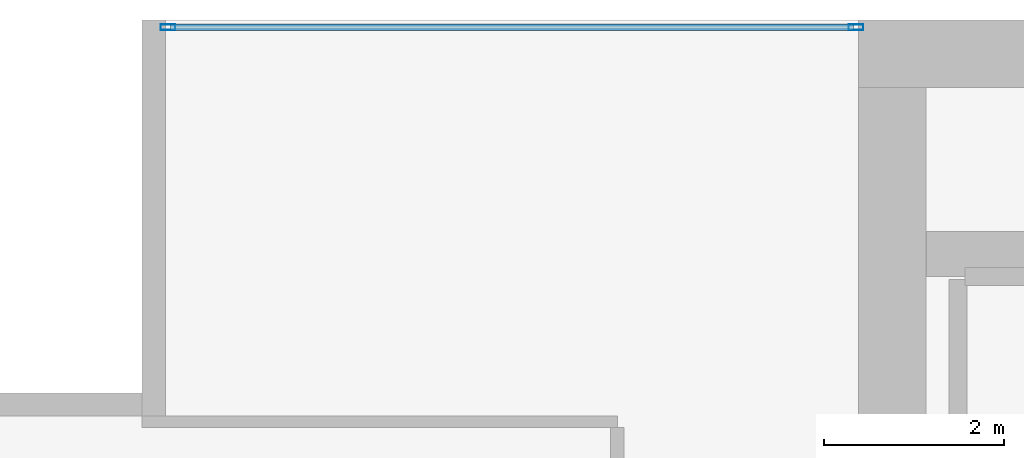
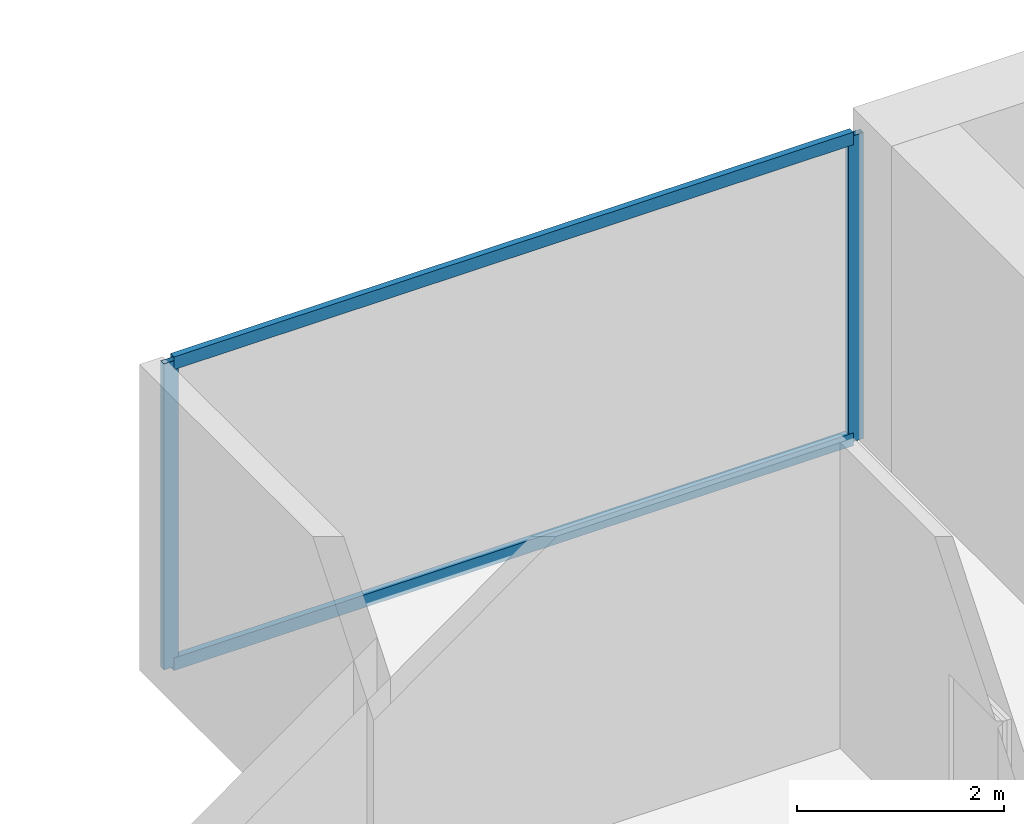
# One storey, part 22 of 34: 4 members, 1 element without a shape of its own.
"""IFC4 building model written with IfcOpenShell, lengths in metres."""

import ifcopenshell
import ifcopenshell.guid

model = None  # the IFC model being written
_history = None  # IfcOwnerHistory: only IFC2X3 demands one
_inside = {}  # id of a spatial element -> (the spatial element, [elements in it])
_under = {}  # id of a project, library or spatial element -> (it, [spatial elements below it])
_declared = {}  # id of a project -> (the project, [libraries it declares])
_typed = {}  # id of a type object -> (the type object, [elements of that type])
_made_of = {}  # id of a material, layer set ... -> (it, [elements and type objects made of it])


def new_model(schema):
    """Start an empty IFC model of exactly this schema.

    Asked for "IFC4X3", IfcOpenShell would pick the latest addendum, in which some entities
    have other attributes; the version numbers below select the first issue.
    IFC2X3 requires an IfcOwnerHistory on every rooted entity: one is made here for all.
    """
    global model, _history
    if schema == "IFC4X3":
        model = ifcopenshell.file(schema_version=(4, 3, 0, 0))
    else:
        model = ifcopenshell.file(schema=schema)
    _inside.clear()
    _under.clear()
    _declared.clear()
    _typed.clear()
    _made_of.clear()
    _history = None
    if model.schema == "IFC2X3":
        org = make("IfcOrganization", Name="unknown")
        user = make(
            "IfcPersonAndOrganization",
            ThePerson=make("IfcPerson", FamilyName="unknown"),
            TheOrganization=org,
        )
        app = make(
            "IfcApplication",
            ApplicationDeveloper=org,
            Version="unknown",
            ApplicationFullName="unknown",
            ApplicationIdentifier="unknown",
        )
        _history = make(
            "IfcOwnerHistory",
            OwningUser=user,
            OwningApplication=app,
            ChangeAction="ADDED",
            CreationDate=0,
        )
    return model


def make(cls, **values):
    """One entity of the class cls with the attributes given. An attribute that is None is left unset."""
    return model.create_entity(
        cls, **{name: value for name, value in values.items() if value is not None}
    )


def rooted(cls, **values):
    """An entity with a GlobalId (a new one), such as an element, a storey or a relation."""
    return make(cls, GlobalId=ifcopenshell.guid.new(), OwnerHistory=_history, **values)


def si_unit(unit_type, name, prefix=None):
    """IfcSIUnit, for example si_unit("LENGTHUNIT", "METRE", prefix="MILLI")."""
    return make("IfcSIUnit", UnitType=unit_type, Prefix=prefix, Name=name)


def assignment(units):
    """IfcUnitAssignment: the units of a project."""
    return None if units is None else make("IfcUnitAssignment", Units=units)


def point(xyz):
    """IfcCartesianPoint."""
    return None if xyz is None else make("IfcCartesianPoint", Coordinates=xyz)


def direction(xyz):
    """IfcDirection."""
    return None if xyz is None else make("IfcDirection", DirectionRatios=xyz)


def frame(location, z_axis=None, x_axis=None):
    """IfcAxis2Placement3D, a coordinate frame: its origin and axes. An axis left out is left unset."""
    return make(
        "IfcAxis2Placement3D",
        Location=point(location),
        Axis=direction(z_axis),
        RefDirection=direction(x_axis),
    )


def frame_2d(location, x_axis=None):
    """IfcAxis2Placement2D, a coordinate frame in the plane: its origin and x axis."""
    return make(
        "IfcAxis2Placement2D", Location=point(location), RefDirection=direction(x_axis)
    )


def origin():
    """The frame at (0, 0, 0) with its axes left unset."""
    return frame((0.0, 0.0, 0.0))


def origin_2d():
    """The frame at (0, 0) in the plane with its x axis left unset."""
    return frame_2d((0.0, 0.0))


def place(relative_to, where):
    """IfcLocalPlacement: puts the frame where relative to a parent placement (None: the world)."""
    return make(
        "IfcLocalPlacement", PlacementRelTo=relative_to, RelativePlacement=where
    )


def context(
    kind, dimensions, precision=None, world=None, true_north=None, identifier=None
):
    """IfcGeometricRepresentationContext, for example the 3D "Model" context."""
    return make(
        "IfcGeometricRepresentationContext",
        ContextIdentifier=identifier,
        ContextType=kind,
        CoordinateSpaceDimension=dimensions,
        Precision=precision,
        WorldCoordinateSystem=world,
        TrueNorth=true_north,
    )


def subcontext(parent, identifier, kind, view, scale=None):
    """IfcGeometricRepresentationSubContext, for example "Body" below "Model"."""
    return make(
        "IfcGeometricRepresentationSubContext",
        ContextIdentifier=identifier,
        ContextType=kind,
        ParentContext=parent,
        TargetScale=scale,
        TargetView=view,
    )


def project(units=None, contexts=None):
    """IfcProject with its units and contexts."""
    return rooted(
        "IfcProject",
        Name="project",
        RepresentationContexts=contexts,
        UnitsInContext=assignment(units),
    )


def spatial(cls, under=None, at=None, **own):
    """A site, building, storey or space (cls), placed at a placement, below another one or the project."""
    s = rooted(cls, ObjectPlacement=at, **own)
    if under is not None:
        _under.setdefault(under.id(), (under, []))[1].append(s)
    return s


def profile(cls, at=None, kind="AREA", **sizes):
    """A parametric profile (cls). Its sizes go by their IFC names, for example OverallWidth=200.0."""
    return make(cls, ProfileType=kind, Position=at, **sizes)


def hollow_rectangle(**sizes):
    """IfcRectangleHollowProfileDef."""
    return profile("IfcRectangleHollowProfileDef", **sizes)


def extrude(swept, where, along, depth):
    """IfcExtrudedAreaSolid: the profile swept, set in the frame where, extruded along a direction by depth."""
    return make(
        "IfcExtrudedAreaSolid",
        SweptArea=swept,
        Position=where,
        ExtrudedDirection=direction(along),
        Depth=depth,
    )


def shape(context_of_items, identifier, shape_type, items):
    """IfcShapeRepresentation: the items that make up one representation, for example the "Body"."""
    return make(
        "IfcShapeRepresentation",
        ContextOfItems=context_of_items,
        RepresentationIdentifier=identifier,
        RepresentationType=shape_type,
        Items=items,
    )


def material(Name=None, Category=None):
    """IfcMaterial."""
    return make("IfcMaterial", Name=Name, Category=Category)


def layer(
    of_material, thickness, ventilated=None, Name=None, Category=None, Priority=None
):
    """IfcMaterialLayer: one layer of a wall or slab, of a material (None: an air gap)."""
    return make(
        "IfcMaterialLayer",
        Material=of_material,
        LayerThickness=thickness,
        IsVentilated=ventilated,
        Name=Name,
        Category=Category,
        Priority=Priority,
    )


def layer_set(layers, Name=None):
    """IfcMaterialLayerSet."""
    return make("IfcMaterialLayerSet", MaterialLayers=layers, LayerSetName=Name)


def material_profile(
    of_material, cross_section, Name=None, Category=None, Priority=None
):
    """IfcMaterialProfile: a cross section and its material."""
    return make(
        "IfcMaterialProfile",
        Name=Name,
        Material=of_material,
        Profile=cross_section,
        Priority=Priority,
        Category=Category,
    )


def profile_set(profiles, Name=None, composite=None):
    """IfcMaterialProfileSet."""
    return make(
        "IfcMaterialProfileSet",
        Name=Name,
        MaterialProfiles=profiles,
        CompositeProfile=composite,
    )


def made_of(thing, what):
    """Note that an element or type object is made of a material, layer set ...; save() writes the relation."""
    if what is not None:
        _made_of.setdefault(what.id(), (what, []))[1].append(thing)
    return thing


def type_object(cls, material=None, **own):
    """A type object (cls), such as IfcWallType, which elements share."""
    return made_of(rooted(cls, **own), material)


def element(
    cls,
    number,
    at=None,
    inside=None,
    cuts=None,
    type_object=None,
    material=None,
    context=None,
    identifier="Body",
    shape_type=None,
    held_by="IfcProductDefinitionShape",
    body=None,
    shapes=None,
    **own,
):
    """One element of the class cls, such as IfcWall. Its Tag is "e" and its number.

    at: its placement. inside: the storey or other place that contains it. cuts: it is an
    opening in that element (IfcRelVoidsElement). A single representation is given by context,
    identifier, shape_type and body (its items); several are given by shapes. held_by: the class
    of the entity that holds the representations. save() writes the other relations.
    """
    e = rooted(cls, Tag="e%d" % number, ObjectPlacement=at, **own)
    if body is not None:
        shapes = [shape(context, identifier, shape_type, body)]
    if shapes is not None:
        e.Representation = make(held_by, Representations=shapes)
    if inside is not None:
        _inside.setdefault(inside.id(), (inside, []))[1].append(e)
    if cuts is not None:
        rooted(
            "IfcRelVoidsElement", RelatingBuildingElement=cuts, RelatedOpeningElement=e
        )
    if type_object is not None:
        _typed.setdefault(type_object.id(), (type_object, []))[1].append(e)
    return made_of(e, material)


def aggregate(whole, parts):
    """IfcRelAggregates: a whole, such as a stair, and the parts it consists of."""
    return rooted("IfcRelAggregates", RelatingObject=whole, RelatedObjects=parts)


def save(model, path):
    """Write the relations noted so far, then the file.

    IfcRelAggregates (storeys below a building ...), IfcRelContainedInSpatialStructure (elements
    in a storey), IfcRelDefinesByType, IfcRelAssociatesMaterial and IfcRelDeclares: one each for
    every whole, place, type object, material and project.
    """
    for whole, parts in _under.values():
        aggregate(whole, parts)
    for where, things in _inside.values():
        rooted(
            "IfcRelContainedInSpatialStructure",
            RelatedElements=things,
            RelatingStructure=where,
        )
    for kind, things in _typed.values():
        rooted("IfcRelDefinesByType", RelatedObjects=things, RelatingType=kind)
    for what, things in _made_of.values():
        rooted("IfcRelAssociatesMaterial", RelatedObjects=things, RelatingMaterial=what)
    for by, libraries in _declared.values():
        rooted("IfcRelDeclares", RelatingContext=by, RelatedDefinitions=libraries)
    model.write(path)


model = new_model("IFC4")

# Units and contexts
model_context = context("Model", 3, precision=1e-05, world=origin(), true_north=direction((0.0, 1.0)))
body_context = subcontext(model_context, "Body", "Model", "MODEL_VIEW")
ifc_project = project(units=[si_unit("LENGTHUNIT", "METRE"), si_unit("AREAUNIT", "SQUARE_METRE"), si_unit("VOLUMEUNIT", "CUBIC_METRE"), si_unit("PLANEANGLEUNIT", "RADIAN"), si_unit("MASSUNIT", "GRAM", prefix="KILO")], contexts=[model_context])

# Site, building, storey
site_placement = place(None, origin())
site = spatial("IfcSite", under=ifc_project, at=site_placement, CompositionType="ELEMENT")
building_placement = place(site_placement, origin())
building = spatial("IfcBuilding", under=site, at=building_placement, Name="Maruvema Waterfront Hotel and Observation Tower", CompositionType="ELEMENT")
storey_placement = place(building_placement, frame((0.0, 0.0, 131.25)))
storey = spatial("IfcBuildingStorey", under=building, at=storey_placement, Name="L31", CompositionType="ELEMENT", Elevation=131.25)

# Curtain wall, members
ifc_material_1 = material(Name="Anodised bronze aluminium and solar-control low-E IGU", Category="aluminium")
ifc_layer = layer(ifc_material_1, 0.159912109375, Name="Zone 2 Amber Inner Thermal Curtain Wall System CW-03")
ifc_layer_set = layer_set([ifc_layer], Name="Anodised bronze aluminium and solar-control low-E IGU")
curtain_wall_type = type_object("IfcCurtainWallType", Name="Zone 2 Amber Inner Thermal Curtain Wall System CW-03", PredefinedType="USERDEFINED", material=ifc_layer_set)
curtain_wall_placement = place(storey_placement, origin())
curtain_wall = element("IfcCurtainWall", 1, at=curtain_wall_placement, inside=storey, type_object=curtain_wall_type, Name="L31 Curtain Wall CW-L31-NW", ObjectType="UNITISED CURTAIN WALL", PredefinedType="USERDEFINED")
ifc_material_2 = material(Name="Anodised architectural bronze aluminium", Category="aluminium")
ifc_material_profile_1 = material_profile(ifc_material_2, hollow_rectangle(XDim=0.070068359375, YDim=0.14990234375, WallThickness=0.00390625, at=origin_2d()), Name="ALU-T70x150")
ifc_profile_set_1 = profile_set([ifc_material_profile_1], Name="Anodised architectural bronze aluminium")
member_type_1 = type_object("IfcMemberType", Name="Curtain Wall Horizontal Transom ALU-T70x150", PredefinedType="USERDEFINED", material=ifc_profile_set_1)
member_1_placement = place(storey_placement, frame((25.139892578125, 53.919921875, 0.030029296875), z_axis=(-1.0, 0.0, 0.0), x_axis=(0.0, -1.0, 0.0)))
member_1 = element("IfcMember", 2, at=member_1_placement, type_object=member_type_1, Name="CW-03 transom 1.1", ObjectType="TRANSOM", PredefinedType="USERDEFINED", context=body_context, shape_type="SweptSolid", body=[
    extrude(hollow_rectangle(XDim=0.070068359375, YDim=0.14990234375, WallThickness=0.00390625, at=origin_2d()), origin(), (0.0, 0.0, 1.0), 7.579833984375),
])
member_2_placement = place(storey_placement, frame((25.139892578125, 53.919921875, 3.580078125), z_axis=(-1.0, 0.0, 0.0), x_axis=(0.0, -1.0, 0.0)))
member_2 = element("IfcMember", 3, at=member_2_placement, type_object=member_type_1, Name="CW-03 transom 1.2", ObjectType="TRANSOM", PredefinedType="USERDEFINED", context=body_context, shape_type="SweptSolid", body=[
    extrude(hollow_rectangle(XDim=0.070068359375, YDim=0.14990234375, WallThickness=0.00390625, at=origin_2d()), origin(), (0.0, 0.0, 1.0), 7.579833984375),
])
ifc_material_3 = material(Name="Anodised architectural bronze aluminium", Category="aluminium")
ifc_material_profile_2 = material_profile(ifc_material_3, hollow_rectangle(XDim=0.06494140625, YDim=0.1650390625, WallThickness=0.00390625, at=origin_2d()), Name="ALU-M65x165")
ifc_profile_set_2 = profile_set([ifc_material_profile_2], Name="Anodised architectural bronze aluminium")
member_type_2 = type_object("IfcMemberType", Name="Curtain Wall Primary Mullion ALU-M65x165", PredefinedType="MULLION", material=ifc_profile_set_2)
member_3_placement = place(storey_placement, frame((25.169921875, 53.919921875, 0.0), z_axis=(0.0, 0.0, 1.0), x_axis=(0.0, -1.0, 0.0)))
member_3 = element("IfcMember", 4, at=member_3_placement, type_object=member_type_2, Name="CW-03 mullion 1", PredefinedType="MULLION", context=body_context, shape_type="SweptSolid", body=[
    extrude(hollow_rectangle(XDim=0.06494140625, YDim=0.1650390625, WallThickness=0.00390625, at=origin_2d()), origin(), (0.0, 0.0, 1.0), 3.610107421875),
])
member_4_placement = place(storey_placement, frame((17.530029296875, 53.919921875, 0.0), z_axis=(0.0, 0.0, 1.0), x_axis=(0.0, -1.0, 0.0)))
member_4 = element("IfcMember", 5, at=member_4_placement, type_object=member_type_2, Name="CW-03 mullion 2", PredefinedType="MULLION", context=body_context, shape_type="SweptSolid", body=[
    extrude(hollow_rectangle(XDim=0.06494140625, YDim=0.1650390625, WallThickness=0.00390625, at=origin_2d()), origin(), (0.0, 0.0, 1.0), 3.610107421875),
])
aggregate(curtain_wall, [member_3, member_4, member_1, member_2])

save(model, "model.ifc")
